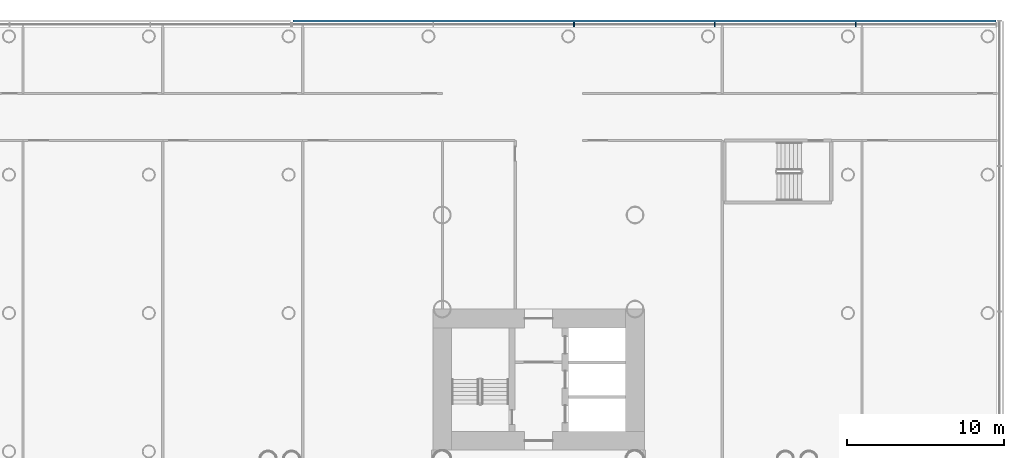
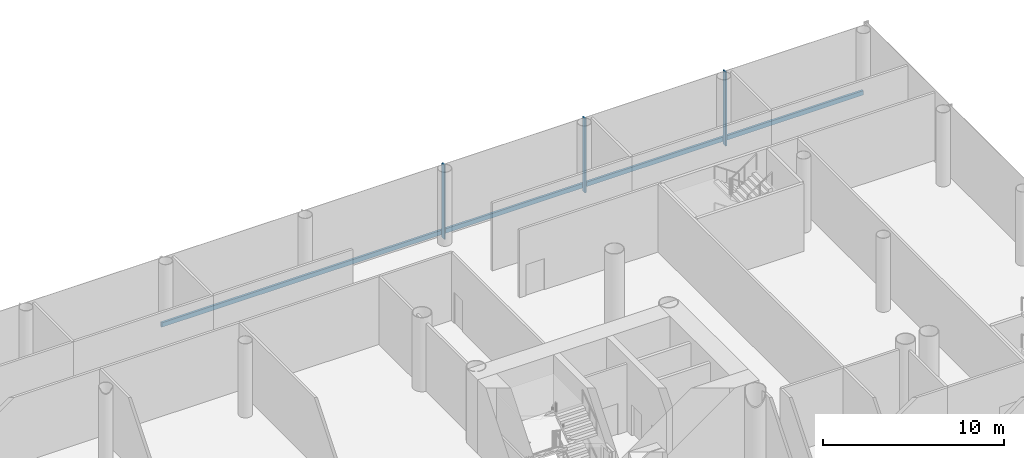
# One storey, part 12 of 59: 4 members, 1 element without a shape of its own.
"""IFC4 building model written with IfcOpenShell, lengths in metres."""

from ifc_helpers import new_model, si_unit, direction, frame, origin, origin_2d, place, context, subcontext, project, spatial, rectangle, extrude, material, layer, layer_set, material_profile, profile_set, type_object, element, aggregate, save


model = new_model("IFC4")

# Units and contexts
model_context = context("Model", 3, precision=1e-05, world=origin(), true_north=direction((0.0, 1.0)))
body_context = subcontext(model_context, "Body", "Model", "MODEL_VIEW")
ifc_project = project(units=[si_unit("LENGTHUNIT", "METRE"), si_unit("AREAUNIT", "SQUARE_METRE"), si_unit("VOLUMEUNIT", "CUBIC_METRE"), si_unit("PLANEANGLEUNIT", "RADIAN"), si_unit("MASSUNIT", "GRAM", prefix="KILO")], contexts=[model_context])

# Site, building, storey
site_placement = place(None, origin())
site = spatial("IfcSite", under=ifc_project, at=site_placement, CompositionType="ELEMENT")
building_placement = place(site_placement, origin())
building = spatial("IfcBuilding", under=site, at=building_placement, Name="Ipe Terrace Towers", CompositionType="ELEMENT")
storey_placement = place(building_placement, frame((0.0, 0.0, 6.0)))
storey = spatial("IfcBuildingStorey", under=building, at=storey_placement, Name="L01", CompositionType="ELEMENT", Elevation=6.0)

# Curtain wall, members
ifc_material_1 = material(Name="Aluminium alloy 6063-T6", Category="aluminium")
ifc_layer = layer(ifc_material_1, 0.43994140625)
ifc_layer_set = layer_set([ifc_layer], Name="PODIUM GLAZING CURTAIN WALL")
curtain_wall_type = type_object("IfcCurtainWallType", Name="PODIUM GLAZING CURTAIN WALL", PredefinedType="NOTDEFINED", material=ifc_layer_set)
curtain_wall_placement = place(storey_placement, origin())
curtain_wall = element("IfcCurtainWall", 1, at=curtain_wall_placement, inside=storey, type_object=curtain_wall_type, Name="POD-CW-L01-01a curtain wall", PredefinedType="NOTDEFINED")
ifc_material_2 = material(Name="Aluminium alloy 6063-T6", Category="aluminium")
ifc_material_profile_1 = material_profile(ifc_material_2, rectangle(XDim=0.300048828125, YDim=0.080078125, at=origin_2d()), Name="PODIUM GLAZING MULLION 300 x 80")
ifc_profile_set_1 = profile_set([ifc_material_profile_1], Name="Aluminium alloy 6063-T6")
member_type_1 = type_object("IfcMemberType", Name="PODIUM GLAZING MULLION 300 x 80", PredefinedType="MULLION", material=ifc_profile_set_1)
member_1_placement = place(storey_placement, frame((56.22607421875, 33.89990234375, -0.300048828125), z_axis=(0.0, 0.0, 1.0), x_axis=(0.0, 1.0, 0.0)))
member_1 = element("IfcMember", 2, at=member_1_placement, type_object=member_type_1, Name="POD-CW-L01-01a mullion 2", PredefinedType="MULLION", context=body_context, shape_type="SweptSolid", body=[
    extrude(rectangle(XDim=0.300048828125, YDim=0.080078125, at=origin_2d()), origin(), (0.0, 0.0, 1.0), 5.0),
])
member_2_placement = place(storey_placement, frame((47.241943359375, 33.89990234375, -0.300048828125), z_axis=(0.0, 0.0, 1.0), x_axis=(0.0, 1.0, 0.0)))
member_2 = element("IfcMember", 3, at=member_2_placement, type_object=member_type_1, Name="POD-CW-L01-01a mullion 3", PredefinedType="MULLION", context=body_context, shape_type="SweptSolid", body=[
    extrude(rectangle(XDim=0.300048828125, YDim=0.080078125, at=origin_2d()), origin(), (0.0, 0.0, 1.0), 5.0),
])
member_3_placement = place(storey_placement, frame((38.258056640625, 33.89990234375, -0.300048828125), z_axis=(0.0, 0.0, 1.0), x_axis=(0.0, 1.0, 0.0)))
member_3 = element("IfcMember", 4, at=member_3_placement, type_object=member_type_1, Name="POD-CW-L01-01a mullion 4", PredefinedType="MULLION", context=body_context, shape_type="SweptSolid", body=[
    extrude(rectangle(XDim=0.300048828125, YDim=0.080078125, at=origin_2d()), origin(), (0.0, 0.0, 1.0), 5.0),
])
ifc_material_3 = material(Name="Aluminium alloy 6063-T6", Category="aluminium")
ifc_material_profile_2 = material_profile(ifc_material_3, rectangle(XDim=0.139892578125, YDim=0.300048828125, at=origin_2d()), Name="PODIUM GLAZING TRANSOM 140 x 300")
ifc_profile_set_2 = profile_set([ifc_material_profile_2], Name="Aluminium alloy 6063-T6")
member_type_2 = type_object("IfcMemberType", Name="PODIUM GLAZING TRANSOM 140 x 300", PredefinedType="USERDEFINED", material=ifc_profile_set_2)
member_4_placement = place(storey_placement, frame((65.169921875, 34.1201171875, 0.0), z_axis=(-1.0, 0.0, 0.0), x_axis=(0.0, 1.0, 0.0)))
member_4 = element("IfcMember", 5, at=member_4_placement, type_object=member_type_2, Name="POD-CW-L01-01a transom", ObjectType="TRANSOM", PredefinedType="USERDEFINED", context=body_context, shape_type="SweptSolid", body=[
    extrude(rectangle(XDim=0.139892578125, YDim=0.300048828125, at=origin_2d()), origin(), (0.0, 0.0, 1.0), 44.83984375),
])
aggregate(curtain_wall, [member_1, member_2, member_3, member_4])

save(model, "model.ifc")
